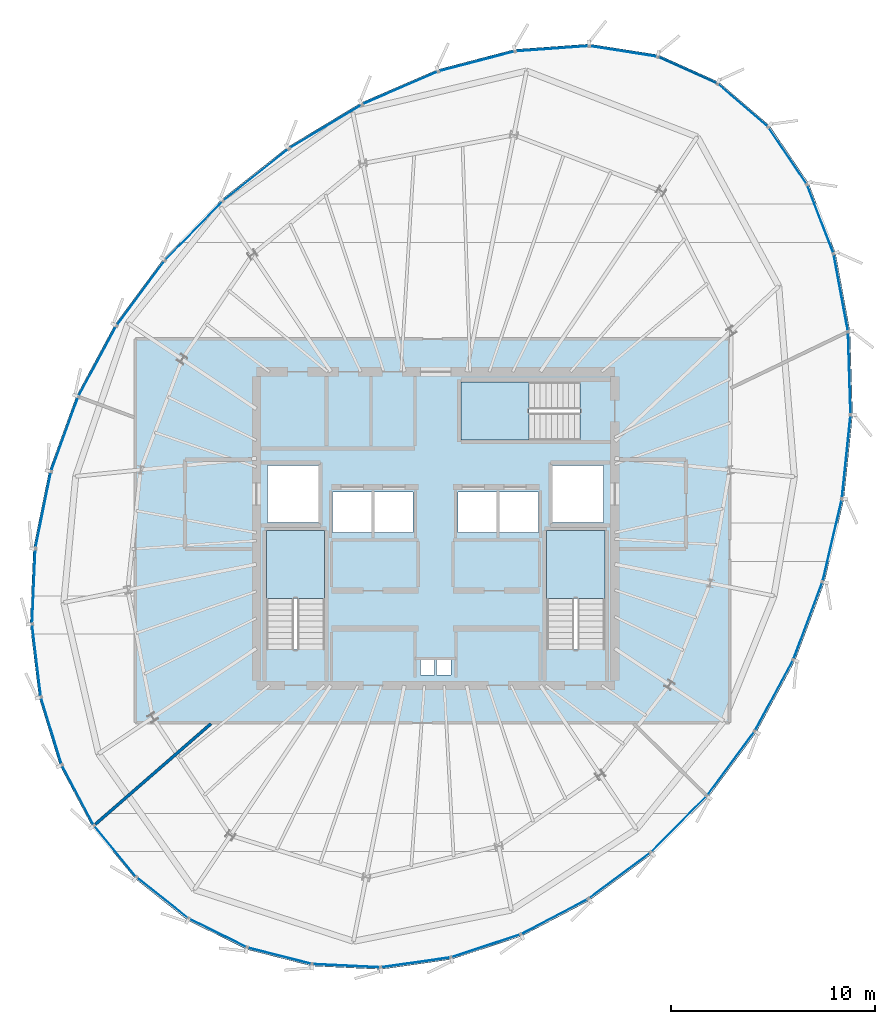
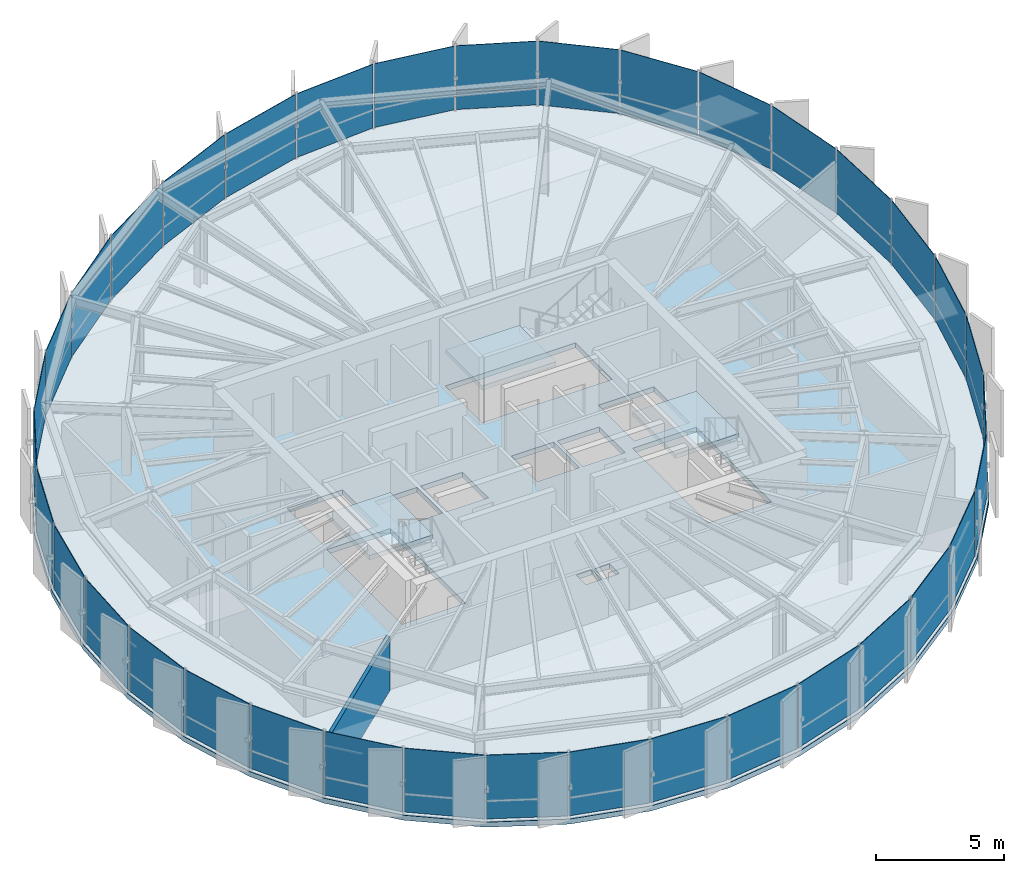
# One storey, part 25 of 33: 36 plates, 4 slabs, 1 member, 1 wall, 9 elements without a shape of their own.
"""IFC4 building model written with IfcOpenShell, lengths in metres."""

import ifcopenshell
import ifcopenshell.guid

model = None  # the IFC model being written
_history = None  # IfcOwnerHistory: only IFC2X3 demands one
_inside = {}  # id of a spatial element -> (the spatial element, [elements in it])
_under = {}  # id of a project, library or spatial element -> (it, [spatial elements below it])
_declared = {}  # id of a project -> (the project, [libraries it declares])
_typed = {}  # id of a type object -> (the type object, [elements of that type])
_made_of = {}  # id of a material, layer set ... -> (it, [elements and type objects made of it])


def new_model(schema):
    """Start an empty IFC model of exactly this schema.

    Asked for "IFC4X3", IfcOpenShell would pick the latest addendum, in which some entities
    have other attributes; the version numbers below select the first issue.
    IFC2X3 requires an IfcOwnerHistory on every rooted entity: one is made here for all.
    """
    global model, _history
    if schema == "IFC4X3":
        model = ifcopenshell.file(schema_version=(4, 3, 0, 0))
    else:
        model = ifcopenshell.file(schema=schema)
    _inside.clear()
    _under.clear()
    _declared.clear()
    _typed.clear()
    _made_of.clear()
    _history = None
    if model.schema == "IFC2X3":
        org = make("IfcOrganization", Name="unknown")
        user = make(
            "IfcPersonAndOrganization",
            ThePerson=make("IfcPerson", FamilyName="unknown"),
            TheOrganization=org,
        )
        app = make(
            "IfcApplication",
            ApplicationDeveloper=org,
            Version="unknown",
            ApplicationFullName="unknown",
            ApplicationIdentifier="unknown",
        )
        _history = make(
            "IfcOwnerHistory",
            OwningUser=user,
            OwningApplication=app,
            ChangeAction="ADDED",
            CreationDate=0,
        )
    return model


def make(cls, **values):
    """One entity of the class cls with the attributes given. An attribute that is None is left unset."""
    return model.create_entity(
        cls, **{name: value for name, value in values.items() if value is not None}
    )


def rooted(cls, **values):
    """An entity with a GlobalId (a new one), such as an element, a storey or a relation."""
    return make(cls, GlobalId=ifcopenshell.guid.new(), OwnerHistory=_history, **values)


def si_unit(unit_type, name, prefix=None):
    """IfcSIUnit, for example si_unit("LENGTHUNIT", "METRE", prefix="MILLI")."""
    return make("IfcSIUnit", UnitType=unit_type, Prefix=prefix, Name=name)


def assignment(units):
    """IfcUnitAssignment: the units of a project."""
    return None if units is None else make("IfcUnitAssignment", Units=units)


def point(xyz):
    """IfcCartesianPoint."""
    return None if xyz is None else make("IfcCartesianPoint", Coordinates=xyz)


def direction(xyz):
    """IfcDirection."""
    return None if xyz is None else make("IfcDirection", DirectionRatios=xyz)


def frame(location, z_axis=None, x_axis=None):
    """IfcAxis2Placement3D, a coordinate frame: its origin and axes. An axis left out is left unset."""
    return make(
        "IfcAxis2Placement3D",
        Location=point(location),
        Axis=direction(z_axis),
        RefDirection=direction(x_axis),
    )


def frame_2d(location, x_axis=None):
    """IfcAxis2Placement2D, a coordinate frame in the plane: its origin and x axis."""
    return make(
        "IfcAxis2Placement2D", Location=point(location), RefDirection=direction(x_axis)
    )


def origin():
    """The frame at (0, 0, 0) with its axes left unset."""
    return frame((0.0, 0.0, 0.0))


def origin_2d():
    """The frame at (0, 0) in the plane with its x axis left unset."""
    return frame_2d((0.0, 0.0))


def place(relative_to, where):
    """IfcLocalPlacement: puts the frame where relative to a parent placement (None: the world)."""
    return make(
        "IfcLocalPlacement", PlacementRelTo=relative_to, RelativePlacement=where
    )


def context(
    kind, dimensions, precision=None, world=None, true_north=None, identifier=None
):
    """IfcGeometricRepresentationContext, for example the 3D "Model" context."""
    return make(
        "IfcGeometricRepresentationContext",
        ContextIdentifier=identifier,
        ContextType=kind,
        CoordinateSpaceDimension=dimensions,
        Precision=precision,
        WorldCoordinateSystem=world,
        TrueNorth=true_north,
    )


def subcontext(parent, identifier, kind, view, scale=None):
    """IfcGeometricRepresentationSubContext, for example "Body" below "Model"."""
    return make(
        "IfcGeometricRepresentationSubContext",
        ContextIdentifier=identifier,
        ContextType=kind,
        ParentContext=parent,
        TargetScale=scale,
        TargetView=view,
    )


def project(units=None, contexts=None):
    """IfcProject with its units and contexts."""
    return rooted(
        "IfcProject",
        Name="project",
        RepresentationContexts=contexts,
        UnitsInContext=assignment(units),
    )


def spatial(cls, under=None, at=None, **own):
    """A site, building, storey or space (cls), placed at a placement, below another one or the project."""
    s = rooted(cls, ObjectPlacement=at, **own)
    if under is not None:
        _under.setdefault(under.id(), (under, []))[1].append(s)
    return s


def polyline(points):
    """IfcPolyline through the points."""
    return make("IfcPolyline", Points=[point(p) for p in points])


def profile(cls, at=None, kind="AREA", **sizes):
    """A parametric profile (cls). Its sizes go by their IFC names, for example OverallWidth=200.0."""
    return make(cls, ProfileType=kind, Position=at, **sizes)


def rectangle(**sizes):
    """IfcRectangleProfileDef."""
    return profile("IfcRectangleProfileDef", **sizes)


def hollow_rectangle(**sizes):
    """IfcRectangleHollowProfileDef."""
    return profile("IfcRectangleHollowProfileDef", **sizes)


def outline(outer, holes=None, kind="AREA"):
    """IfcArbitraryClosedProfileDef: a profile drawn as a closed curve; with holes, ...WithVoids."""
    if holes is None:
        return make("IfcArbitraryClosedProfileDef", ProfileType=kind, OuterCurve=outer)
    return make(
        "IfcArbitraryProfileDefWithVoids",
        ProfileType=kind,
        OuterCurve=outer,
        InnerCurves=holes,
    )


def extrude(swept, where, along, depth):
    """IfcExtrudedAreaSolid: the profile swept, set in the frame where, extruded along a direction by depth."""
    return make(
        "IfcExtrudedAreaSolid",
        SweptArea=swept,
        Position=where,
        ExtrudedDirection=direction(along),
        Depth=depth,
    )


def shape(context_of_items, identifier, shape_type, items):
    """IfcShapeRepresentation: the items that make up one representation, for example the "Body"."""
    return make(
        "IfcShapeRepresentation",
        ContextOfItems=context_of_items,
        RepresentationIdentifier=identifier,
        RepresentationType=shape_type,
        Items=items,
    )


def source(mapping_origin, context_of_items, identifier, shape_type, items):
    """IfcRepresentationMap: a shape defined once, which mapped items show again and again."""
    return make(
        "IfcRepresentationMap",
        MappingOrigin=mapping_origin,
        MappedRepresentation=shape(context_of_items, identifier, shape_type, items),
    )


def transform(
    local_origin,
    x_axis=None,
    y_axis=None,
    z_axis=None,
    scale=None,
    scale2=None,
    scale3=None,
    uniform=True,
):
    """IfcCartesianTransformationOperator3D, or its non-uniform kind. x_axis, y_axis, z_axis: its Axis1, 2, 3."""
    if uniform:
        return make(
            "IfcCartesianTransformationOperator3D",
            Axis1=direction(x_axis),
            Axis2=direction(y_axis),
            LocalOrigin=point(local_origin),
            Scale=scale,
            Axis3=direction(z_axis),
        )
    return make(
        "IfcCartesianTransformationOperator3DnonUniform",
        Axis1=direction(x_axis),
        Axis2=direction(y_axis),
        LocalOrigin=point(local_origin),
        Scale=scale,
        Axis3=direction(z_axis),
        Scale2=scale2,
        Scale3=scale3,
    )


def mapped(mapping_source, mapping_target):
    """IfcMappedItem: shows the shape of a source again, moved by a transform."""
    return make(
        "IfcMappedItem", MappingSource=mapping_source, MappingTarget=mapping_target
    )


def material(Name=None, Category=None):
    """IfcMaterial."""
    return make("IfcMaterial", Name=Name, Category=Category)


def layer(
    of_material, thickness, ventilated=None, Name=None, Category=None, Priority=None
):
    """IfcMaterialLayer: one layer of a wall or slab, of a material (None: an air gap)."""
    return make(
        "IfcMaterialLayer",
        Material=of_material,
        LayerThickness=thickness,
        IsVentilated=ventilated,
        Name=Name,
        Category=Category,
        Priority=Priority,
    )


def layer_set(layers, Name=None):
    """IfcMaterialLayerSet."""
    return make("IfcMaterialLayerSet", MaterialLayers=layers, LayerSetName=Name)


def material_profile(
    of_material, cross_section, Name=None, Category=None, Priority=None
):
    """IfcMaterialProfile: a cross section and its material."""
    return make(
        "IfcMaterialProfile",
        Name=Name,
        Material=of_material,
        Profile=cross_section,
        Priority=Priority,
        Category=Category,
    )


def profile_set(profiles, Name=None, composite=None):
    """IfcMaterialProfileSet."""
    return make(
        "IfcMaterialProfileSet",
        Name=Name,
        MaterialProfiles=profiles,
        CompositeProfile=composite,
    )


def made_of(thing, what):
    """Note that an element or type object is made of a material, layer set ...; save() writes the relation."""
    if what is not None:
        _made_of.setdefault(what.id(), (what, []))[1].append(thing)
    return thing


def type_object(cls, material=None, **own):
    """A type object (cls), such as IfcWallType, which elements share."""
    return made_of(rooted(cls, **own), material)


def element(
    cls,
    number,
    at=None,
    inside=None,
    cuts=None,
    type_object=None,
    material=None,
    context=None,
    identifier="Body",
    shape_type=None,
    held_by="IfcProductDefinitionShape",
    body=None,
    shapes=None,
    **own,
):
    """One element of the class cls, such as IfcWall. Its Tag is "e" and its number.

    at: its placement. inside: the storey or other place that contains it. cuts: it is an
    opening in that element (IfcRelVoidsElement). A single representation is given by context,
    identifier, shape_type and body (its items); several are given by shapes. held_by: the class
    of the entity that holds the representations. save() writes the other relations.
    """
    e = rooted(cls, Tag="e%d" % number, ObjectPlacement=at, **own)
    if body is not None:
        shapes = [shape(context, identifier, shape_type, body)]
    if shapes is not None:
        e.Representation = make(held_by, Representations=shapes)
    if inside is not None:
        _inside.setdefault(inside.id(), (inside, []))[1].append(e)
    if cuts is not None:
        rooted(
            "IfcRelVoidsElement", RelatingBuildingElement=cuts, RelatedOpeningElement=e
        )
    if type_object is not None:
        _typed.setdefault(type_object.id(), (type_object, []))[1].append(e)
    return made_of(e, material)


def aggregate(whole, parts):
    """IfcRelAggregates: a whole, such as a stair, and the parts it consists of."""
    return rooted("IfcRelAggregates", RelatingObject=whole, RelatedObjects=parts)


def save(model, path):
    """Write the relations noted so far, then the file.

    IfcRelAggregates (storeys below a building ...), IfcRelContainedInSpatialStructure (elements
    in a storey), IfcRelDefinesByType, IfcRelAssociatesMaterial and IfcRelDeclares: one each for
    every whole, place, type object, material and project.
    """
    for whole, parts in _under.values():
        aggregate(whole, parts)
    for where, things in _inside.values():
        rooted(
            "IfcRelContainedInSpatialStructure",
            RelatedElements=things,
            RelatingStructure=where,
        )
    for kind, things in _typed.values():
        rooted("IfcRelDefinesByType", RelatedObjects=things, RelatingType=kind)
    for what, things in _made_of.values():
        rooted("IfcRelAssociatesMaterial", RelatedObjects=things, RelatingMaterial=what)
    for by, libraries in _declared.values():
        rooted("IfcRelDeclares", RelatingContext=by, RelatedDefinitions=libraries)
    model.write(path)


model = new_model("IFC4")

# Units and contexts
model_context = context("Model", 3, precision=1e-05, world=origin(), true_north=direction((0.0, 1.0)))
body_context = subcontext(model_context, "Body", "Model", "MODEL_VIEW")
ifc_project = project(units=[si_unit("LENGTHUNIT", "METRE"), si_unit("AREAUNIT", "SQUARE_METRE"), si_unit("VOLUMEUNIT", "CUBIC_METRE"), si_unit("PLANEANGLEUNIT", "RADIAN"), si_unit("MASSUNIT", "GRAM", prefix="KILO"), si_unit("THERMODYNAMICTEMPERATUREUNIT", "KELVIN")], contexts=[model_context])

# Site, building, storey
site_placement = place(None, origin())
site = spatial("IfcSite", under=ifc_project, at=site_placement, CompositionType="ELEMENT")
building_placement = place(site_placement, origin())
building = spatial("IfcBuilding", under=site, at=building_placement, Name="Kethvar Cultural Tower", CompositionType="ELEMENT")
storey_placement = place(building_placement, frame((0.0, 0.0, 266.35009765625)))
storey = spatial("IfcBuildingStorey", under=building, at=storey_placement, Name="L70", CompositionType="ELEMENT", Elevation=266.35009765625)

# Curtain wall, member
ifc_material_1 = material(Name="Aluminium 6063-T6", Category="aluminium")
ifc_layer_1 = layer(ifc_material_1, 0.179931640625, Name="Aluminium 6063-T6", Category="aluminium")
ifc_layer_set_1 = layer_set([ifc_layer_1], Name="Aluminium 6063-T6 (180 mm)")
curtain_wall_type = type_object("IfcCurtainWallType", Name="CW-SYS-05-Z56", PredefinedType="NOTDEFINED", material=ifc_layer_set_1)
curtain_wall_1_placement = place(storey_placement, origin())
curtain_wall_1 = element("IfcCurtainWall", 1, at=curtain_wall_1_placement, inside=storey, type_object=curtain_wall_type, Name="L70 Curtain Wall Run 01", PredefinedType="NOTDEFINED")
ifc_material_profile = material_profile(ifc_material_1, hollow_rectangle(XDim=0.050048828125, YDim=0.10009765625, WallThickness=0.00390625, at=origin_2d()), Name="Aluminium 6063-T6 — RHS100x50x4")
ifc_profile_set = profile_set([ifc_material_profile], Name="Aluminium 6063-T6 — RHS100x50x4")
member_type = type_object("IfcMemberType", Name="CW-SYS-05-Z56-TRN", PredefinedType="USERDEFINED", material=ifc_profile_set)
shared_shape_1 = source(origin(), body_context, "Body", "SweptSolid", [
    extrude(hollow_rectangle(XDim=0.050048828125, YDim=0.10009765625, WallThickness=0.00390625, at=origin_2d()), origin(), (0.0, 0.0, 1.0), 3.195556640625),
])
member_placement = place(storey_placement, frame((60.637939453125, 49.651611328125, 0.949951171875), z_axis=(-0.911997255158, 0.4101963025, 0.0), x_axis=(-0.4101963025, -0.911997255158, 0.0)))
member = element("IfcMember", 2, at=member_placement, type_object=member_type, Name="CW-L70-R01 Transom 1", ObjectType="TRANSOM", PredefinedType="USERDEFINED", context=body_context, shape_type="MappedRepresentation", body=[
    mapped(shared_shape_1, transform((0.0, 0.0, 0.0), scale=1.0)),
])

# Stair, slab
ifc_material_2 = material(Name="Concrete C40/50", Category="concrete")
stair_type = type_object("IfcStairType", Name="ST-DOGLEG-135", PredefinedType="HALF_TURN_STAIR", material=ifc_material_2)
stair_1_placement = place(storey_placement, origin())
stair_1 = element("IfcStair", 3, at=stair_1_placement, inside=storey, type_object=stair_type, Name="L70 Core Exit Stair 1", PredefinedType="HALF_TURN_STAIR")
ifc_layer_2 = layer(ifc_material_2, 0.199951171875, Name="Concrete C40/50", Category="concrete")
ifc_layer_set_2 = layer_set([ifc_layer_2], Name="Concrete C40/50 (200 mm)")
slab_type_1 = type_object("IfcSlabType", Name="SL-STAIR-LANDING-200", PredefinedType="LANDING", material=ifc_layer_set_2)
slab_1_placement = place(storey_placement, frame((0.0, 0.0, 1.52490234375)))
slab_1 = element("IfcSlab", 4, at=slab_1_placement, type_object=slab_type_1, Name="ST-01 landing 1", PredefinedType="LANDING", context=body_context, shape_type="SweptSolid", body=[
    extrude(outline(polyline([(41.35009765625, 24.3701171875), (41.35009765625, 27.699951171875), (38.489990234375, 27.699951171875), (38.489990234375, 24.3701171875), (41.35009765625, 24.3701171875)])), origin(), (0.0, 0.0, 1.0), 0.199951171875),
])
aggregate(stair_1, [slab_1])

stair_2_placement = place(storey_placement, origin())
stair_2 = element("IfcStair", 5, at=stair_2_placement, inside=storey, type_object=stair_type, Name="L70 Core Exit Stair 2", PredefinedType="HALF_TURN_STAIR")
slab_2_placement = place(storey_placement, frame((0.0, 0.0, 1.52490234375)))
slab_2 = element("IfcSlab", 6, at=slab_2_placement, type_object=slab_type_1, Name="ST-02 landing 1", PredefinedType="LANDING", context=body_context, shape_type="SweptSolid", body=[
    extrude(outline(polyline([(55.110107421875, 24.3701171875), (55.110107421875, 27.699951171875), (52.25, 27.699951171875), (52.25, 24.3701171875), (55.110107421875, 24.3701171875)])), origin(), (0.0, 0.0, 1.0), 0.199951171875),
])
aggregate(stair_2, [slab_2])

stair_3_placement = place(storey_placement, origin())
stair_3 = element("IfcStair", 7, at=stair_3_placement, inside=storey, type_object=stair_type, Name="L70 Core Exit Stair 3", PredefinedType="HALF_TURN_STAIR")
slab_3_placement = place(storey_placement, frame((0.0, 0.0, 1.52490234375)))
slab_3 = element("IfcSlab", 8, at=slab_3_placement, type_object=slab_type_1, Name="ST-03 landing 1", PredefinedType="LANDING", context=body_context, shape_type="SweptSolid", body=[
    extrude(outline(polyline([(51.3798828125, 35.010009765625), (48.050048828125, 35.010009765625), (48.050048828125, 32.14990234375), (51.3798828125, 32.14990234375), (51.3798828125, 35.010009765625)])), origin(), (0.0, 0.0, 1.0), 0.199951171875),
])
aggregate(stair_3, [slab_3])

# Slab
ifc_layer_3 = layer(ifc_material_2, 0.239990234375, Name="Concrete C40/50", Category="concrete")
ifc_layer_set_3 = layer_set([ifc_layer_3], Name="Concrete C40/50 (240 mm)")
slab_type_2 = type_object("IfcSlabType", Name="SL-TOW-240", PredefinedType="FLOOR", material=ifc_layer_set_3)
slab_4_placement = place(storey_placement, frame((0.0, 0.0, -0.239990234375)))
element("IfcSlab", 9, at=slab_4_placement, inside=storey, type_object=slab_type_2, Name="L70 Structural Floor Slab", PredefinedType="FLOOR", context=body_context, shape_type="SweptSolid", body=[
    extrude(outline(polyline([(60.715087890625, 49.7265625), (57.728515625, 51.06982421875), (54.342041015625, 51.598876953125), (50.6826171875, 51.335693359375), (46.896484375, 50.343505859375), (43.137451171875, 48.714111328125), (39.5546875, 46.551513671875), (36.280517578125, 43.95849609375), (33.419677734375, 41.02197265625), (31.0400390625, 37.801513671875), (29.160888671875, 34.311279296875), (27.817626953125, 30.623291015625), (27.05126953125, 26.84912109375), (26.885009765625, 23.104248046875), (27.323486328125, 19.501953125), (28.35400390625, 16.151611328125), (29.945068359375, 13.155517578125), (32.048095703125, 10.60400390625), (34.599609375, 8.5751953125), (37.521484375, 7.130615234375), (40.7255859375, 6.31396484375), (44.114013671875, 6.150146484375), (47.584228515625, 6.64404296875), (51.030517578125, 7.781005859375), (54.348388671875, 9.52587890625), (57.436767578125, 11.826416015625), (60.201904296875, 14.612060546875), (62.56005859375, 17.79833984375), (64.460693359375, 21.32275390625), (65.899658203125, 25.16162109375), (66.851806640625, 29.228515625), (67.283203125, 33.390869140625), (67.156982421875, 37.48583984375), (66.442626953125, 41.333984375), (65.12255859375, 44.75732421875), (63.201904296875, 47.596435546875), (60.715087890625, 49.7265625)]), holes=[polyline([(38.489990234375, 21.85009765625), (38.489990234375, 27.699951171875), (41.35009765625, 27.699951171875), (41.35009765625, 21.85009765625), (38.489990234375, 21.85009765625)]), polyline([(52.25, 21.85009765625), (52.25, 27.699951171875), (55.110107421875, 27.699951171875), (55.110107421875, 21.85009765625), (52.25, 21.85009765625)]), polyline([(53.89990234375, 32.14990234375), (48.050048828125, 32.14990234375), (48.050048828125, 35.010009765625), (53.89990234375, 35.010009765625), (53.89990234375, 32.14990234375)]), polyline([(41.75, 29.60009765625), (43.64990234375, 29.60009765625), (43.64990234375, 27.60009765625), (41.75, 27.60009765625), (41.75, 29.60009765625)]), polyline([(43.800048828125, 29.60009765625), (45.699951171875, 29.60009765625), (45.699951171875, 27.60009765625), (43.800048828125, 27.60009765625), (43.800048828125, 29.60009765625)]), polyline([(47.89990234375, 29.60009765625), (49.800048828125, 29.60009765625), (49.800048828125, 27.60009765625), (47.89990234375, 27.60009765625), (47.89990234375, 29.60009765625)]), polyline([(49.949951171875, 29.60009765625), (51.85009765625, 29.60009765625), (51.85009765625, 27.60009765625), (49.949951171875, 27.60009765625), (49.949951171875, 29.60009765625)]), polyline([(38.550048828125, 30.89990234375), (41.050048828125, 30.89990234375), (41.050048828125, 28.10009765625), (38.550048828125, 28.10009765625), (38.550048828125, 30.89990234375)]), polyline([(52.550048828125, 30.89990234375), (55.050048828125, 30.89990234375), (55.050048828125, 28.10009765625), (52.550048828125, 28.10009765625), (52.550048828125, 30.89990234375)]), polyline([(46.050048828125, 21.35009765625), (46.75, 21.35009765625), (46.75, 20.60009765625), (46.050048828125, 20.60009765625), (46.050048828125, 21.35009765625)]), polyline([(46.85009765625, 21.35009765625), (47.550048828125, 21.35009765625), (47.550048828125, 20.60009765625), (46.85009765625, 20.60009765625), (46.85009765625, 21.35009765625)])]), origin(), (0.0, 0.0, 1.0), 0.239990234375),
])

# Plate
ifc_material_3 = material(Name="Insulated Low-E Solar Glass", Category="glass")
ifc_layer_4 = layer(ifc_material_3, 0.028076171875, Name="Insulated Low-E Solar Glass", Category="glass")
ifc_layer_set_4 = layer_set([ifc_layer_4], Name="Insulated Low-E Solar Glass (28 mm)")
plate_type = type_object("IfcPlateType", Name="CW-SYS-05-Z56-PNL", PredefinedType="CURTAIN_PANEL", material=ifc_layer_set_4)
shared_shape_2 = source(origin(), body_context, "Body", "SweptSolid", [
    extrude(rectangle(XDim=3.195556640625, YDim=0.028076171875, at=origin_2d()), origin(), (0.0, 0.0, 1.0), 3.030029296875),
])
plate_1_placement = place(storey_placement, frame((59.180908203125, 50.30712890625, 0.08984375), z_axis=(0.0, 0.0, 1.0), x_axis=(-0.911991290044, 0.410209564594, 0.0)))
plate_1 = element("IfcPlate", 10, at=plate_1_placement, type_object=plate_type, Name="CW-L70-R01 Vision Glazing Panel 1", PredefinedType="CURTAIN_PANEL", context=body_context, shape_type="MappedRepresentation", body=[
    mapped(shared_shape_2, transform((0.0, 0.0, 0.0), scale=1.0)),
])

shared_shape_3 = source(origin(), body_context, "Body", "SweptSolid", [
    extrude(rectangle(XDim=3.348388671875, YDim=0.028076171875, at=origin_2d()), origin(), (0.0, 0.0, 1.0), 3.030029296875),
])
plate_2_placement = place(storey_placement, frame((56.02001953125, 51.235595703125, 0.08984375), z_axis=(0.0, 0.0, 1.0), x_axis=(-0.988019197462, 0.154331025548, 0.0)))
plate_2 = element("IfcPlate", 11, at=plate_2_placement, type_object=plate_type, Name="CW-L70-R01 Vision Glazing Panel 2", PredefinedType="CURTAIN_PANEL", context=body_context, shape_type="MappedRepresentation", body=[
    mapped(shared_shape_3, transform((0.0, 0.0, 0.0), scale=1.0)),
])

# Curtain wall, plate
curtain_wall_2_placement = place(storey_placement, origin())
curtain_wall_2 = element("IfcCurtainWall", 12, at=curtain_wall_2_placement, inside=storey, type_object=curtain_wall_type, Name="L70 Curtain Wall Run 06", PredefinedType="NOTDEFINED")
plate_3_placement = place(storey_placement, frame((64.07958984375, 46.120849609375, 0.08984375), z_axis=(0.0, 0.0, 1.0), x_axis=(-0.560335456949, 0.828265763922, 0.0)))
plate_3 = element("IfcPlate", 13, at=plate_3_placement, type_object=plate_type, Name="CW-L70-R06 Vision Glazing Panel 5", PredefinedType="CURTAIN_PANEL", context=body_context, shape_type="MappedRepresentation", body=[
    mapped(shared_shape_3, transform((0.0, 0.0, 0.0), scale=1.0)),
])

# Plate
shared_shape_4 = source(origin(), body_context, "Body", "SweptSolid", [
    extrude(rectangle(XDim=3.589599609375, YDim=0.028076171875, at=origin_2d()), origin(), (0.0, 0.0, 1.0), 3.030029296875),
])
plate_4_placement = place(storey_placement, frame((52.51953125, 51.367431640625, 0.08984375), z_axis=(0.0, 0.0, 1.0), x_axis=(-0.997423283034, -0.071741162956, 0.0)))
plate_4 = element("IfcPlate", 14, at=plate_4_placement, type_object=plate_type, Name="CW-L70-R01 Vision Glazing Panel 3", PredefinedType="CURTAIN_PANEL", context=body_context, shape_type="MappedRepresentation", body=[
    mapped(shared_shape_4, transform((0.0, 0.0, 0.0), scale=1.0)),
])

shared_shape_5 = source(origin(), body_context, "Body", "SweptSolid", [
    extrude(rectangle(XDim=3.834716796875, YDim=0.028076171875, at=origin_2d()), origin(), (0.0, 0.0, 1.0), 3.030029296875),
])
plate_5_placement = place(storey_placement, frame((48.814697265625, 50.742919921875, 0.08984375), z_axis=(0.0, 0.0, 1.0), x_axis=(-0.967343001696, -0.2534709393, 0.0)))
plate_5 = element("IfcPlate", 15, at=plate_5_placement, type_object=plate_type, Name="CW-L70-R01 Vision Glazing Panel 4", PredefinedType="CURTAIN_PANEL", context=body_context, shape_type="MappedRepresentation", body=[
    mapped(shared_shape_5, transform((0.0, 0.0, 0.0), scale=1.0)),
])

plate_6_placement = place(storey_placement, frame((66.701416015625, 39.3916015625, 0.08984375), z_axis=(0.0, 0.0, 1.0), x_axis=(-0.18252725507, 0.983200793916, 0.0)))
plate_6 = element("IfcPlate", 16, at=plate_6_placement, type_object=plate_type, Name="CW-L70-R06 Vision Glazing Panel 3", PredefinedType="CURTAIN_PANEL", context=body_context, shape_type="MappedRepresentation", body=[
    mapped(shared_shape_5, transform((0.0, 0.0, 0.0), scale=1.0)),
])

shared_shape_6 = source(origin(), body_context, "Body", "SweptSolid", [
    extrude(rectangle(XDim=4.017822265625, YDim=0.028076171875, at=origin_2d()), origin(), (0.0, 0.0, 1.0), 3.030029296875),
])
plate_7_placement = place(storey_placement, frame((45.056640625, 49.43701171875, 0.08984375), z_axis=(0.0, 0.0, 1.0), x_axis=(-0.917504909164, -0.397724454441, 0.0)))
plate_7 = element("IfcPlate", 17, at=plate_7_placement, type_object=plate_type, Name="CW-L70-R01 Vision Glazing Panel 5", PredefinedType="CURTAIN_PANEL", context=body_context, shape_type="MappedRepresentation", body=[
    mapped(shared_shape_6, transform((0.0, 0.0, 0.0), scale=1.0)),
])

shared_shape_7 = source(origin(), body_context, "Body", "SweptSolid", [
    extrude(rectangle(XDim=4.10546875, YDim=0.028076171875, at=origin_2d()), origin(), (0.0, 0.0, 1.0), 3.030029296875),
])
plate_8_placement = place(storey_placement, frame((41.397705078125, 47.547119140625, 0.08984375), z_axis=(0.0, 0.0, 1.0), x_axis=(-0.856122807899, -0.516772423602, 0.0)))
plate_8 = element("IfcPlate", 18, at=plate_8_placement, type_object=plate_type, Name="CW-L70-R01 Vision Glazing Panel 6", PredefinedType="CURTAIN_PANEL", context=body_context, shape_type="MappedRepresentation", body=[
    mapped(shared_shape_7, transform((0.0, 0.0, 0.0), scale=1.0)),
])

aggregate(curtain_wall_1, [member, plate_1, plate_2, plate_4, plate_5, plate_7, plate_8])

plate_9_placement = place(storey_placement, frame((66.968017578125, 31.31982421875, 0.08984375), z_axis=(0.0, 0.0, 1.0), x_axis=(0.103035585466, 0.994677670468, 0.0)))
plate_9 = element("IfcPlate", 19, at=plate_9_placement, type_object=plate_type, Name="CW-L70-R06 Vision Glazing Panel 1", PredefinedType="CURTAIN_PANEL", context=body_context, shape_type="MappedRepresentation", body=[
    mapped(shared_shape_7, transform((0.0, 0.0, 0.0), scale=1.0)),
])

# Curtain wall, plate
curtain_wall_3_placement = place(storey_placement, origin())
curtain_wall_3 = element("IfcCurtainWall", 20, at=curtain_wall_3_placement, inside=storey, type_object=curtain_wall_type, Name="L70 Curtain Wall Run 02", PredefinedType="NOTDEFINED")
shared_shape_8 = source(origin(), body_context, "Body", "SweptSolid", [
    extrude(rectangle(XDim=4.097412109375, YDim=0.028076171875, at=origin_2d()), origin(), (0.0, 0.0, 1.0), 3.030029296875),
])
plate_10_placement = place(storey_placement, frame((37.979736328125, 45.176513671875, 0.08984375), z_axis=(0.0, 0.0, 1.0), x_axis=(-0.783931903174, -0.620846817811, 0.0)))
plate_10 = element("IfcPlate", 21, at=plate_10_placement, type_object=plate_type, Name="CW-L70-R02 Vision Glazing Panel 1", PredefinedType="CURTAIN_PANEL", context=body_context, shape_type="MappedRepresentation", body=[
    mapped(shared_shape_8, transform((0.0, 0.0, 0.0), scale=1.0)),
])

curtain_wall_4_placement = place(storey_placement, origin())
curtain_wall_4 = element("IfcCurtainWall", 22, at=curtain_wall_4_placement, inside=storey, type_object=curtain_wall_type, Name="L70 Curtain Wall Run 05", PredefinedType="NOTDEFINED")
plate_11_placement = place(storey_placement, frame((66.2783203125, 27.2177734375, 0.08984375), z_axis=(0.0, 0.0, 1.0), x_axis=(0.227994019476, 0.973662532443, 0.0)))
plate_11 = element("IfcPlate", 23, at=plate_11_placement, type_object=plate_type, Name="CW-L70-R05 Vision Glazing Panel 6", PredefinedType="CURTAIN_PANEL", context=body_context, shape_type="MappedRepresentation", body=[
    mapped(shared_shape_8, transform((0.0, 0.0, 0.0), scale=1.0)),
])

# Plate
shared_shape_9 = source(origin(), body_context, "Body", "SweptSolid", [
    extrude(rectangle(XDim=4.0205078125, YDim=0.028076171875, at=origin_2d()), origin(), (0.0, 0.0, 1.0), 3.030029296875),
])
plate_12_placement = place(storey_placement, frame((34.921630859375, 42.42041015625, 0.08984375), z_axis=(0.0, 0.0, 1.0), x_axis=(-0.697815463071, -0.716277585506, 0.0)))
plate_12 = element("IfcPlate", 24, at=plate_12_placement, type_object=plate_type, Name="CW-L70-R02 Vision Glazing Panel 2", PredefinedType="CURTAIN_PANEL", context=body_context, shape_type="MappedRepresentation", body=[
    mapped(shared_shape_9, transform((0.0, 0.0, 0.0), scale=1.0)),
])

plate_13_placement = place(storey_placement, frame((65.086669921875, 23.27734375, 0.08984375), z_axis=(0.0, 0.0, 1.0), x_axis=(0.350975619991, 0.93638459736, 0.0)))
plate_13 = element("IfcPlate", 25, at=plate_13_placement, type_object=plate_type, Name="CW-L70-R05 Vision Glazing Panel 5", PredefinedType="CURTAIN_PANEL", context=body_context, shape_type="MappedRepresentation", body=[
    mapped(shared_shape_9, transform((0.0, 0.0, 0.0), scale=1.0)),
])

shared_shape_10 = source(origin(), body_context, "Body", "SweptSolid", [
    extrude(rectangle(XDim=3.9248046875, YDim=0.028076171875, at=origin_2d()), origin(), (0.0, 0.0, 1.0), 3.030029296875),
])
plate_14_placement = place(storey_placement, frame((32.310302734375, 39.352294921875, 0.08984375), z_axis=(0.0, 0.0, 1.0), x_axis=(-0.594289517909, -0.804251185205, 0.0)))
plate_14 = element("IfcPlate", 26, at=plate_14_placement, type_object=plate_type, Name="CW-L70-R02 Vision Glazing Panel 3", PredefinedType="CURTAIN_PANEL", context=body_context, shape_type="MappedRepresentation", body=[
    mapped(shared_shape_10, transform((0.0, 0.0, 0.0), scale=1.0)),
])

shared_shape_11 = source(origin(), body_context, "Body", "SweptSolid", [
    extrude(rectangle(XDim=3.884765625, YDim=0.028076171875, at=origin_2d()), origin(), (0.0, 0.0, 1.0), 3.030029296875),
])
plate_15_placement = place(storey_placement, frame((30.1884765625, 36.009033203125, 0.08984375), z_axis=(0.0, 0.0, 1.0), x_axis=(-0.474042106711, -0.880502175503, 0.0)))
plate_15 = element("IfcPlate", 27, at=plate_15_placement, type_object=plate_type, Name="CW-L70-R02 Vision Glazing Panel 4", PredefinedType="CURTAIN_PANEL", context=body_context, shape_type="MappedRepresentation", body=[
    mapped(shared_shape_11, transform((0.0, 0.0, 0.0), scale=1.0)),
])

shared_shape_12 = source(origin(), body_context, "Body", "SweptSolid", [
    extrude(rectangle(XDim=3.845947265625, YDim=0.028076171875, at=origin_2d()), origin(), (0.0, 0.0, 1.0), 3.030029296875),
])
plate_16_placement = place(storey_placement, frame((28.583251953125, 32.43310546875, 0.08984375), z_axis=(0.0, 0.0, 1.0), x_axis=(-0.342216944585, -0.939620967645, 0.0)))
plate_16 = element("IfcPlate", 28, at=plate_16_placement, type_object=plate_type, Name="CW-L70-R02 Vision Glazing Panel 5", PredefinedType="CURTAIN_PANEL", context=body_context, shape_type="MappedRepresentation", body=[
    mapped(shared_shape_12, transform((0.0, 0.0, 0.0), scale=1.0)),
])

shared_shape_13 = source(origin(), body_context, "Body", "SweptSolid", [
    extrude(rectangle(XDim=3.77197265625, YDim=0.028076171875, at=origin_2d()), origin(), (0.0, 0.0, 1.0), 3.030029296875),
])
plate_17_placement = place(storey_placement, frame((27.532470703125, 28.71630859375, 0.08984375), z_axis=(0.0, 0.0, 1.0), x_axis=(-0.199042968123, -0.979990763651, 0.0)))
plate_17 = element("IfcPlate", 29, at=plate_17_placement, type_object=plate_type, Name="CW-L70-R02 Vision Glazing Panel 6", PredefinedType="CURTAIN_PANEL", context=body_context, shape_type="MappedRepresentation", body=[
    mapped(shared_shape_13, transform((0.0, 0.0, 0.0), scale=1.0)),
])

aggregate(curtain_wall_3, [plate_10, plate_12, plate_14, plate_15, plate_16, plate_17])

# Curtain wall, plate
curtain_wall_5_placement = place(storey_placement, origin())
curtain_wall_5 = element("IfcCurtainWall", 30, at=curtain_wall_5_placement, inside=storey, type_object=curtain_wall_type, Name="L70 Curtain Wall Run 03", PredefinedType="NOTDEFINED")
shared_shape_14 = source(origin(), body_context, "Body", "SweptSolid", [
    extrude(rectangle(XDim=3.66943359375, YDim=0.028076171875, at=origin_2d()), origin(), (0.0, 0.0, 1.0), 3.030029296875),
])
plate_18_placement = place(storey_placement, frame((27.06787109375, 24.97216796875, 0.08984375), z_axis=(0.0, 0.0, 1.0), x_axis=(-0.044369152288, -0.999015204251, 0.0)))
plate_18 = element("IfcPlate", 31, at=plate_18_placement, type_object=plate_type, Name="CW-L70-R03 Vision Glazing Panel 1", PredefinedType="CURTAIN_PANEL", context=body_context, shape_type="MappedRepresentation", body=[
    mapped(shared_shape_14, transform((0.0, 0.0, 0.0), scale=1.0)),
])

curtain_wall_6_placement = place(storey_placement, origin())
curtain_wall_6 = element("IfcCurtainWall", 32, at=curtain_wall_6_placement, inside=storey, type_object=curtain_wall_type, Name="L70 Curtain Wall Run 04", PredefinedType="NOTDEFINED")
plate_19_placement = place(storey_placement, frame((52.642822265625, 8.741943359375, 0.08984375), z_axis=(0.0, 0.0, 1.0), x_axis=(0.885036391649, 0.465521842084, 0.0)))
plate_19 = element("IfcPlate", 33, at=plate_19_placement, type_object=plate_type, Name="CW-L70-R04 Vision Glazing Panel 6", PredefinedType="CURTAIN_PANEL", context=body_context, shape_type="MappedRepresentation", body=[
    mapped(shared_shape_14, transform((0.0, 0.0, 0.0), scale=1.0)),
])

# Plate
shared_shape_15 = source(origin(), body_context, "Body", "SweptSolid", [
    extrude(rectangle(XDim=3.5498046875, YDim=0.028076171875, at=origin_2d()), origin(), (0.0, 0.0, 1.0), 3.030029296875),
])
plate_20_placement = place(storey_placement, frame((27.20361328125, 21.315185546875, 0.08984375), z_axis=(0.0, 0.0, 1.0), x_axis=(0.120881860956, -0.992666900673, 0.0)))
plate_20 = element("IfcPlate", 34, at=plate_20_placement, type_object=plate_type, Name="CW-L70-R03 Vision Glazing Panel 2", PredefinedType="CURTAIN_PANEL", context=body_context, shape_type="MappedRepresentation", body=[
    mapped(shared_shape_15, transform((0.0, 0.0, 0.0), scale=1.0)),
])

plate_21_placement = place(storey_placement, frame((49.276123046875, 7.3076171875, 0.08984375), z_axis=(0.0, 0.0, 1.0), x_axis=(0.949666326558, 0.313263257026, 0.0)))
plate_21 = element("IfcPlate", 35, at=plate_21_placement, type_object=plate_type, Name="CW-L70-R04 Vision Glazing Panel 5", PredefinedType="CURTAIN_PANEL", context=body_context, shape_type="MappedRepresentation", body=[
    mapped(shared_shape_15, transform((0.0, 0.0, 0.0), scale=1.0)),
])

shared_shape_16 = source(origin(), body_context, "Body", "SweptSolid", [
    extrude(rectangle(XDim=3.426025390625, YDim=0.028076171875, at=origin_2d()), origin(), (0.0, 0.0, 1.0), 3.030029296875),
])
plate_22_placement = place(storey_placement, frame((27.934326171875, 17.856201171875, 0.08984375), z_axis=(0.0, 0.0, 1.0), x_axis=(0.293990279624, -0.955808409404, 0.0)))
plate_22 = element("IfcPlate", 36, at=plate_22_placement, type_object=plate_type, Name="CW-L70-R03 Vision Glazing Panel 3", PredefinedType="CURTAIN_PANEL", context=body_context, shape_type="MappedRepresentation", body=[
    mapped(shared_shape_16, transform((0.0, 0.0, 0.0), scale=1.0)),
])

plate_23_placement = place(storey_placement, frame((45.835205078125, 6.49609375, 0.08984375), z_axis=(0.0, 0.0, 1.0), x_axis=(0.990018738733, 0.140935790197, 0.0)))
plate_23 = element("IfcPlate", 37, at=plate_23_placement, type_object=plate_type, Name="CW-L70-R04 Vision Glazing Panel 4", PredefinedType="CURTAIN_PANEL", context=body_context, shape_type="MappedRepresentation", body=[
    mapped(shared_shape_16, transform((0.0, 0.0, 0.0), scale=1.0)),
])

shared_shape_17 = source(origin(), body_context, "Body", "SweptSolid", [
    extrude(rectangle(XDim=3.31298828125, YDim=0.028076171875, at=origin_2d()), origin(), (0.0, 0.0, 1.0), 3.030029296875),
])
plate_24_placement = place(storey_placement, frame((29.23779296875, 14.700439453125, 0.08984375), z_axis=(0.0, 0.0, 1.0), x_axis=(0.468993773472, -0.883201472171, 0.0)))
plate_24 = element("IfcPlate", 38, at=plate_24_placement, type_object=plate_type, Name="CW-L70-R03 Vision Glazing Panel 4", PredefinedType="CURTAIN_PANEL", context=body_context, shape_type="MappedRepresentation", body=[
    mapped(shared_shape_17, transform((0.0, 0.0, 0.0), scale=1.0)),
])

shared_shape_18 = source(origin(), body_context, "Body", "SweptSolid", [
    extrude(rectangle(XDim=3.227294921875, YDim=0.028076171875, at=origin_2d()), origin(), (0.0, 0.0, 1.0), 3.030029296875),
])
plate_25_placement = place(storey_placement, frame((31.073974609375, 11.943359375, 0.08984375), z_axis=(0.0, 0.0, 1.0), x_axis=(0.636064752791, -0.771635684929, 0.0)))
plate_25 = element("IfcPlate", 39, at=plate_25_placement, type_object=plate_type, Name="CW-L70-R03 Vision Glazing Panel 5", PredefinedType="CURTAIN_PANEL", context=body_context, shape_type="MappedRepresentation", body=[
    mapped(shared_shape_18, transform((0.0, 0.0, 0.0), scale=1.0)),
])

plate_26_placement = place(storey_placement, frame((39.148193359375, 6.819091796875, 0.08984375), z_axis=(0.0, 0.0, 1.0), x_axis=(0.969024352709, -0.246965187542, 0.0)))
plate_26 = element("IfcPlate", 40, at=plate_26_placement, type_object=plate_type, Name="CW-L70-R04 Vision Glazing Panel 2", PredefinedType="CURTAIN_PANEL", context=body_context, shape_type="MappedRepresentation", body=[
    mapped(shared_shape_18, transform((0.0, 0.0, 0.0), scale=1.0)),
])

shared_shape_19 = source(origin(), body_context, "Body", "SweptSolid", [
    extrude(rectangle(XDim=3.180419921875, YDim=0.028076171875, at=origin_2d()), origin(), (0.0, 0.0, 1.0), 3.030029296875),
])
plate_27_placement = place(storey_placement, frame((33.385986328125, 9.66796875, 0.08984375), z_axis=(0.0, 0.0, 1.0), x_axis=(0.782705931567, -0.622391697156, 0.0)))
plate_27 = element("IfcPlate", 41, at=plate_27_placement, type_object=plate_type, Name="CW-L70-R03 Vision Glazing Panel 6", PredefinedType="CURTAIN_PANEL", context=body_context, shape_type="MappedRepresentation", body=[
    mapped(shared_shape_19, transform((0.0, 0.0, 0.0), scale=1.0)),
])

aggregate(curtain_wall_5, [plate_18, plate_20, plate_22, plate_24, plate_25, plate_27])

plate_28_placement = place(storey_placement, frame((36.10498046875, 7.9423828125, 0.08984375), z_axis=(0.0, 0.0, 1.0), x_axis=(0.896416821864, -0.443212005117, 0.0)))
plate_28 = element("IfcPlate", 42, at=plate_28_placement, type_object=plate_type, Name="CW-L70-R04 Vision Glazing Panel 1", PredefinedType="CURTAIN_PANEL", context=body_context, shape_type="MappedRepresentation", body=[
    mapped(shared_shape_19, transform((0.0, 0.0, 0.0), scale=1.0)),
])

shared_shape_20 = source(origin(), body_context, "Body", "SweptSolid", [
    extrude(rectangle(XDim=3.313232421875, YDim=0.028076171875, at=origin_2d()), origin(), (0.0, 0.0, 1.0), 3.030029296875),
])
plate_29_placement = place(storey_placement, frame((42.4248046875, 6.331787109375, 0.08984375), z_axis=(0.0, 0.0, 1.0), x_axis=(0.99883326442, -0.048291923624, 0.0)))
plate_29 = element("IfcPlate", 43, at=plate_29_placement, type_object=plate_type, Name="CW-L70-R04 Vision Glazing Panel 3", PredefinedType="CURTAIN_PANEL", context=body_context, shape_type="MappedRepresentation", body=[
    mapped(shared_shape_20, transform((0.0, 0.0, 0.0), scale=1.0)),
])

aggregate(curtain_wall_6, [plate_28, plate_26, plate_29, plate_23, plate_21, plate_19])

shared_shape_21 = source(origin(), body_context, "Body", "SweptSolid", [
    extrude(rectangle(XDim=3.771728515625, YDim=0.028076171875, at=origin_2d()), origin(), (0.0, 0.0, 1.0), 3.030029296875),
])
plate_30_placement = place(storey_placement, frame((55.832763671875, 10.75634765625, 0.08984375), z_axis=(0.0, 0.0, 1.0), x_axis=(0.801994631442, 0.597331240719, 0.0)))
plate_30 = element("IfcPlate", 44, at=plate_30_placement, type_object=plate_type, Name="CW-L70-R05 Vision Glazing Panel 1", PredefinedType="CURTAIN_PANEL", context=body_context, shape_type="MappedRepresentation", body=[
    mapped(shared_shape_21, transform((0.0, 0.0, 0.0), scale=1.0)),
])

shared_shape_22 = source(origin(), body_context, "Body", "SweptSolid", [
    extrude(rectangle(XDim=3.845703125, YDim=0.028076171875, at=origin_2d()), origin(), (0.0, 0.0, 1.0), 3.030029296875),
])
plate_31_placement = place(storey_placement, frame((58.748291015625, 13.28955078125, 0.08984375), z_axis=(0.0, 0.0, 1.0), x_axis=(0.704485582363, 0.709718299217, 0.0)))
plate_31 = element("IfcPlate", 45, at=plate_31_placement, type_object=plate_type, Name="CW-L70-R05 Vision Glazing Panel 2", PredefinedType="CURTAIN_PANEL", context=body_context, shape_type="MappedRepresentation", body=[
    mapped(shared_shape_22, transform((0.0, 0.0, 0.0), scale=1.0)),
])

shared_shape_23 = source(origin(), body_context, "Body", "SweptSolid", [
    extrude(rectangle(XDim=3.885009765625, YDim=0.028076171875, at=origin_2d()), origin(), (0.0, 0.0, 1.0), 3.030029296875),
])
plate_32_placement = place(storey_placement, frame((61.30078125, 16.2646484375, 0.08984375), z_axis=(0.0, 0.0, 1.0), x_axis=(0.594850846287, 0.803836096895, 0.0)))
plate_32 = element("IfcPlate", 46, at=plate_32_placement, type_object=plate_type, Name="CW-L70-R05 Vision Glazing Panel 3", PredefinedType="CURTAIN_PANEL", context=body_context, shape_type="MappedRepresentation", body=[
    mapped(shared_shape_23, transform((0.0, 0.0, 0.0), scale=1.0)),
])

shared_shape_24 = source(origin(), body_context, "Body", "SweptSolid", [
    extrude(rectangle(XDim=3.925048828125, YDim=0.028076171875, at=origin_2d()), origin(), (0.0, 0.0, 1.0), 3.030029296875),
])
plate_33_placement = place(storey_placement, frame((63.42236328125, 19.60791015625, 0.08984375), z_axis=(0.0, 0.0, 1.0), x_axis=(0.474687421096, 0.880154447954, 0.0)))
plate_33 = element("IfcPlate", 47, at=plate_33_placement, type_object=plate_type, Name="CW-L70-R05 Vision Glazing Panel 4", PredefinedType="CURTAIN_PANEL", context=body_context, shape_type="MappedRepresentation", body=[
    mapped(shared_shape_24, transform((0.0, 0.0, 0.0), scale=1.0)),
])

aggregate(curtain_wall_4, [plate_30, plate_31, plate_32, plate_33, plate_13, plate_11])

shared_shape_25 = source(origin(), body_context, "Body", "SweptSolid", [
    extrude(rectangle(XDim=4.017578125, YDim=0.028076171875, at=origin_2d()), origin(), (0.0, 0.0, 1.0), 3.030029296875),
])
plate_34_placement = place(storey_placement, frame((67.1201171875, 35.435302734375, 0.08984375), z_axis=(0.0, 0.0, 1.0), x_axis=(-0.030782744426, 0.999526099032, 0.0)))
plate_34 = element("IfcPlate", 48, at=plate_34_placement, type_object=plate_type, Name="CW-L70-R06 Vision Glazing Panel 2", PredefinedType="CURTAIN_PANEL", context=body_context, shape_type="MappedRepresentation", body=[
    mapped(shared_shape_25, transform((0.0, 0.0, 0.0), scale=1.0)),
])

shared_shape_26 = source(origin(), body_context, "Body", "SweptSolid", [
    extrude(rectangle(XDim=3.58984375, YDim=0.028076171875, at=origin_2d()), origin(), (0.0, 0.0, 1.0), 3.030029296875),
])
plate_35_placement = place(storey_placement, frame((65.689208984375, 43.009765625, 0.08984375), z_axis=(0.0, 0.0, 1.0), x_axis=(-0.359768833822, 0.933041470788, 0.0)))
plate_35 = element("IfcPlate", 49, at=plate_35_placement, type_object=plate_type, Name="CW-L70-R06 Vision Glazing Panel 4", PredefinedType="CURTAIN_PANEL", context=body_context, shape_type="MappedRepresentation", body=[
    mapped(shared_shape_26, transform((0.0, 0.0, 0.0), scale=1.0)),
])

shared_shape_27 = source(origin(), body_context, "Body", "SweptSolid", [
    extrude(rectangle(XDim=3.1953125, YDim=0.028076171875, at=origin_2d()), origin(), (0.0, 0.0, 1.0), 3.030029296875),
])
plate_36_placement = place(storey_placement, frame((61.8935546875, 48.58544921875, 0.08984375), z_axis=(0.0, 0.0, 1.0), x_axis=(-0.759475716613, 0.650535653039, 0.0)))
plate_36 = element("IfcPlate", 50, at=plate_36_placement, type_object=plate_type, Name="CW-L70-R06 Vision Glazing Panel 6", PredefinedType="CURTAIN_PANEL", context=body_context, shape_type="MappedRepresentation", body=[
    mapped(shared_shape_27, transform((0.0, 0.0, 0.0), scale=1.0)),
])

aggregate(curtain_wall_2, [plate_9, plate_34, plate_6, plate_35, plate_3, plate_36])

# Wall
ifc_material_4 = material(Name="Gypsum Acoustic Partition")
ifc_layer_5 = layer(ifc_material_4, 0.14990234375, Name="Gypsum Acoustic Partition")
ifc_layer_set_5 = layer_set([ifc_layer_5], Name="Gypsum Acoustic Partition (150 mm)")
wall_type = type_object("IfcWallType", Name="WL-PART-150", PredefinedType="PARTITIONING", material=ifc_layer_set_5)
wall_placement = place(storey_placement, frame((35.77001953125, 18.216552734375, 0.0), z_axis=(0.0, 0.0, 1.0), x_axis=(-0.754644626674, -0.656133742031, 0.0)))
element("IfcWall", 51, at=wall_placement, inside=storey, type_object=wall_type, Name="L70 Radial Partition Wall 01", PredefinedType="PARTITIONING", context=body_context, shape_type="SweptSolid", body=[
    extrude(rectangle(XDim=7.526611328125, YDim=0.14990234375, at=frame_2d((3.76318359375, 0.0))), origin(), (0.0, 0.0, 1.0), 2.594970703125),
])

save(model, "model.ifc")
